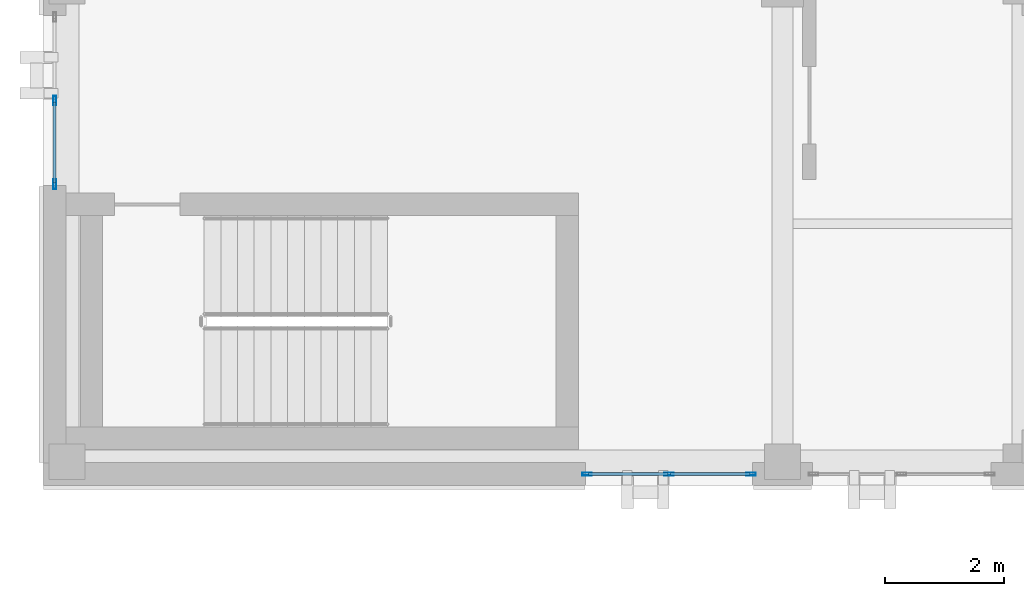
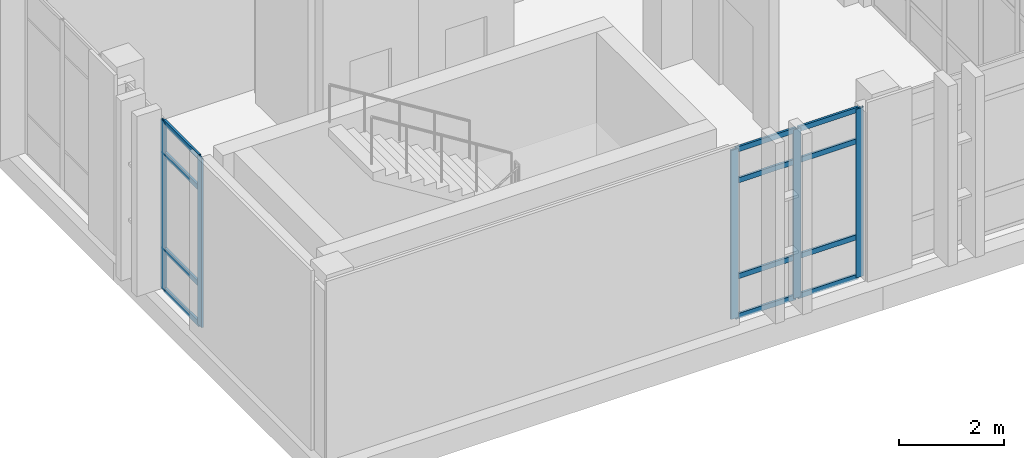
# One storey, part 2 of 90: 17 members, 2 elements without a shape of their own.
"""IFC4 building model written with IfcOpenShell, lengths in metres."""

from ifc_helpers import new_model, si_unit, direction, frame, origin, origin_2d, place, context, subcontext, project, spatial, hollow_rectangle, extrude, material, layer, layer_set, material_profile, profile_set, type_object, element, aggregate, save


model = new_model("IFC4")

# Units and contexts
model_context = context("Model", 3, precision=1e-05, world=origin(), true_north=direction((0.0, 1.0)))
body_context = subcontext(model_context, "Body", "Model", "MODEL_VIEW")
ifc_project = project(units=[si_unit("LENGTHUNIT", "METRE"), si_unit("AREAUNIT", "SQUARE_METRE"), si_unit("VOLUMEUNIT", "CUBIC_METRE"), si_unit("PLANEANGLEUNIT", "RADIAN"), si_unit("MASSUNIT", "GRAM", prefix="KILO")], contexts=[model_context])

# Site, building, storey
site_placement = place(None, origin())
site = spatial("IfcSite", under=ifc_project, at=site_placement, CompositionType="ELEMENT")
building_placement = place(site_placement, origin())
building = spatial("IfcBuilding", under=site, at=building_placement, Name="Qalavern Law Courts", CompositionType="ELEMENT")
storey_placement = place(building_placement, frame((0.0, 0.0, 22.800048828125)))
storey = spatial("IfcBuildingStorey", under=building, at=storey_placement, Name="L05", CompositionType="ELEMENT", Elevation=22.800048828125)

# Curtain wall, members
ifc_material_1 = material(Name="Anodised aluminium and insulated glazing", Category="aluminium")
ifc_layer = layer(ifc_material_1, 0.159912109375)
ifc_layer_set = layer_set([ifc_layer], Name="Anodised aluminium and insulated glazing")
curtain_wall_type = type_object("IfcCurtainWallType", Name="ENV-CW-CHAMB", PredefinedType="USERDEFINED", material=ifc_layer_set)
curtain_wall_1_placement = place(storey_placement, origin())
curtain_wall_1 = element("IfcCurtainWall", 1, at=curtain_wall_1_placement, inside=storey, type_object=curtain_wall_type, Name="V3 unitised curtain wall L05 south 1", ObjectType="UNITISED CURTAIN WALL", PredefinedType="USERDEFINED")
ifc_material_2 = material(Name="Anodised aluminium", Category="aluminium")
ifc_material_profile_1 = material_profile(ifc_material_2, hollow_rectangle(XDim=0.048095703125, YDim=0.159912109375, WallThickness=0.00390625, at=origin_2d()), Name="ALU MULLION 48x160")
ifc_profile_set_1 = profile_set([ifc_material_profile_1], Name="Anodised aluminium")
member_type_1 = type_object("IfcMemberType", Name="ENV-CWM-48x160", PredefinedType="MULLION", material=ifc_profile_set_1)
member_1_placement = place(storey_placement, frame((11.1240234375, 41.21240234375, 0.0), z_axis=(0.0, 0.0, 1.0), x_axis=(0.0, 1.0, 0.0)))
member_1 = element("IfcMember", 2, at=member_1_placement, type_object=member_type_1, Name="CW-04 mullion 1", PredefinedType="MULLION", context=body_context, shape_type="SweptSolid", body=[
    extrude(hollow_rectangle(XDim=0.048095703125, YDim=0.159912109375, WallThickness=0.00390625, at=origin_2d()), origin(), (0.0, 0.0, 1.0), 3.929931640625),
])
member_2_placement = place(storey_placement, frame((12.5, 41.21240234375, 0.0), z_axis=(0.0, 0.0, 1.0), x_axis=(0.0, 1.0, 0.0)))
member_2 = element("IfcMember", 3, at=member_2_placement, type_object=member_type_1, Name="CW-04 mullion 2", PredefinedType="MULLION", context=body_context, shape_type="SweptSolid", body=[
    extrude(hollow_rectangle(XDim=0.048095703125, YDim=0.159912109375, WallThickness=0.00390625, at=origin_2d()), origin(), (0.0, 0.0, 1.0), 3.929931640625),
])
member_3_placement = place(storey_placement, frame((13.8759765625, 41.21240234375, 0.0), z_axis=(0.0, 0.0, 1.0), x_axis=(0.0, 1.0, 0.0)))
member_3 = element("IfcMember", 4, at=member_3_placement, type_object=member_type_1, Name="CW-04 mullion 3", PredefinedType="MULLION", context=body_context, shape_type="SweptSolid", body=[
    extrude(hollow_rectangle(XDim=0.048095703125, YDim=0.159912109375, WallThickness=0.00390625, at=origin_2d()), origin(), (0.0, 0.0, 1.0), 3.929931640625),
])

curtain_wall_2_placement = place(storey_placement, origin())
curtain_wall_2 = element("IfcCurtainWall", 5, at=curtain_wall_2_placement, inside=storey, type_object=curtain_wall_type, Name="V3 unitised curtain wall L05 west 7", ObjectType="UNITISED CURTAIN WALL", PredefinedType="USERDEFINED")
member_4_placement = place(storey_placement, frame((2.1923828125, 47.47509765625, 0.0), z_axis=(0.0, 0.0, 1.0), x_axis=(1.0, 0.0, 0.0)))
member_4 = element("IfcMember", 6, at=member_4_placement, type_object=member_type_1, Name="CW-04 mullion 2", PredefinedType="MULLION", context=body_context, shape_type="SweptSolid", body=[
    extrude(hollow_rectangle(XDim=0.048095703125, YDim=0.159912109375, WallThickness=0.00390625, at=origin_2d()), origin(), (0.0, 0.0, 1.0), 3.929931640625),
])
member_5_placement = place(storey_placement, frame((2.1923828125, 46.073974609375, 0.0), z_axis=(0.0, 0.0, 1.0), x_axis=(1.0, 0.0, 0.0)))
member_5 = element("IfcMember", 7, at=member_5_placement, type_object=member_type_1, Name="CW-04 mullion 3", PredefinedType="MULLION", context=body_context, shape_type="SweptSolid", body=[
    extrude(hollow_rectangle(XDim=0.048095703125, YDim=0.159912109375, WallThickness=0.00390625, at=origin_2d()), origin(), (0.0, 0.0, 1.0), 3.929931640625),
])

# Member
ifc_material_profile_2 = material_profile(ifc_material_2, hollow_rectangle(XDim=0.048095703125, YDim=0.1201171875, WallThickness=0.00390625, at=origin_2d()), Name="ALU TRANSOM 48x120")
ifc_profile_set_2 = profile_set([ifc_material_profile_2], Name="Anodised aluminium")
member_type_2 = type_object("IfcMemberType", Name="ENV-CWT-48x120", PredefinedType="USERDEFINED", material=ifc_profile_set_2)
member_6_placement = place(storey_placement, frame((11.14794921875, 41.21240234375, 0.02392578125), z_axis=(1.0, 0.0, 0.0), x_axis=(0.0, 1.0, 0.0)))
member_6 = element("IfcMember", 8, at=member_6_placement, type_object=member_type_2, Name="CW-04 transom 1.1", ObjectType="TRANSOM", PredefinedType="USERDEFINED", context=body_context, shape_type="SweptSolid", body=[
    extrude(hollow_rectangle(XDim=0.048095703125, YDim=0.1201171875, WallThickness=0.00390625, at=origin_2d()), origin(), (0.0, 0.0, 1.0), 1.328125),
])

member_7_placement = place(storey_placement, frame((11.14794921875, 41.21240234375, 0.949951171875), z_axis=(1.0, 0.0, 0.0), x_axis=(0.0, 1.0, 0.0)))
member_7 = element("IfcMember", 9, at=member_7_placement, type_object=member_type_2, Name="CW-04 transom 1.2", ObjectType="TRANSOM", PredefinedType="USERDEFINED", context=body_context, shape_type="SweptSolid", body=[
    extrude(hollow_rectangle(XDim=0.048095703125, YDim=0.1201171875, WallThickness=0.00390625, at=origin_2d()), origin(), (0.0, 0.0, 1.0), 1.328125),
])

member_8_placement = place(storey_placement, frame((11.14794921875, 41.21240234375, 3.179931640625), z_axis=(1.0, 0.0, 0.0), x_axis=(0.0, 1.0, 0.0)))
member_8 = element("IfcMember", 10, at=member_8_placement, type_object=member_type_2, Name="CW-04 transom 1.3", ObjectType="TRANSOM", PredefinedType="USERDEFINED", context=body_context, shape_type="SweptSolid", body=[
    extrude(hollow_rectangle(XDim=0.048095703125, YDim=0.1201171875, WallThickness=0.00390625, at=origin_2d()), origin(), (0.0, 0.0, 1.0), 1.328125),
])

member_9_placement = place(storey_placement, frame((11.14794921875, 41.21240234375, 3.906005859375), z_axis=(1.0, 0.0, 0.0), x_axis=(0.0, 1.0, 0.0)))
member_9 = element("IfcMember", 11, at=member_9_placement, type_object=member_type_2, Name="CW-04 transom 1.4", ObjectType="TRANSOM", PredefinedType="USERDEFINED", context=body_context, shape_type="SweptSolid", body=[
    extrude(hollow_rectangle(XDim=0.048095703125, YDim=0.1201171875, WallThickness=0.00390625, at=origin_2d()), origin(), (0.0, 0.0, 1.0), 1.328125),
])

member_10_placement = place(storey_placement, frame((12.52392578125, 41.21240234375, 0.02392578125), z_axis=(1.0, 0.0, 0.0), x_axis=(0.0, 1.0, 0.0)))
member_10 = element("IfcMember", 12, at=member_10_placement, type_object=member_type_2, Name="CW-04 transom 2.1", ObjectType="TRANSOM", PredefinedType="USERDEFINED", context=body_context, shape_type="SweptSolid", body=[
    extrude(hollow_rectangle(XDim=0.048095703125, YDim=0.1201171875, WallThickness=0.00390625, at=origin_2d()), origin(), (0.0, 0.0, 1.0), 1.328125),
])

member_11_placement = place(storey_placement, frame((12.52392578125, 41.21240234375, 0.949951171875), z_axis=(1.0, 0.0, 0.0), x_axis=(0.0, 1.0, 0.0)))
member_11 = element("IfcMember", 13, at=member_11_placement, type_object=member_type_2, Name="CW-04 transom 2.2", ObjectType="TRANSOM", PredefinedType="USERDEFINED", context=body_context, shape_type="SweptSolid", body=[
    extrude(hollow_rectangle(XDim=0.048095703125, YDim=0.1201171875, WallThickness=0.00390625, at=origin_2d()), origin(), (0.0, 0.0, 1.0), 1.328125),
])

member_12_placement = place(storey_placement, frame((12.52392578125, 41.21240234375, 3.179931640625), z_axis=(1.0, 0.0, 0.0), x_axis=(0.0, 1.0, 0.0)))
member_12 = element("IfcMember", 14, at=member_12_placement, type_object=member_type_2, Name="CW-04 transom 2.3", ObjectType="TRANSOM", PredefinedType="USERDEFINED", context=body_context, shape_type="SweptSolid", body=[
    extrude(hollow_rectangle(XDim=0.048095703125, YDim=0.1201171875, WallThickness=0.00390625, at=origin_2d()), origin(), (0.0, 0.0, 1.0), 1.328125),
])

member_13_placement = place(storey_placement, frame((12.52392578125, 41.21240234375, 3.906005859375), z_axis=(1.0, 0.0, 0.0), x_axis=(0.0, 1.0, 0.0)))
member_13 = element("IfcMember", 15, at=member_13_placement, type_object=member_type_2, Name="CW-04 transom 2.4", ObjectType="TRANSOM", PredefinedType="USERDEFINED", context=body_context, shape_type="SweptSolid", body=[
    extrude(hollow_rectangle(XDim=0.048095703125, YDim=0.1201171875, WallThickness=0.00390625, at=origin_2d()), origin(), (0.0, 0.0, 1.0), 1.328125),
])

aggregate(curtain_wall_1, [member_1, member_2, member_3, member_6, member_7, member_8, member_9, member_10, member_11, member_12, member_13])

member_14_placement = place(storey_placement, frame((2.1923828125, 47.450927734375, 0.02392578125), z_axis=(0.0, -1.0, 0.0), x_axis=(1.0, 0.0, 0.0)))
member_14 = element("IfcMember", 16, at=member_14_placement, type_object=member_type_2, Name="CW-04 transom 2.1", ObjectType="TRANSOM", PredefinedType="USERDEFINED", context=body_context, shape_type="SweptSolid", body=[
    extrude(hollow_rectangle(XDim=0.048095703125, YDim=0.1201171875, WallThickness=0.00390625, at=origin_2d()), origin(), (0.0, 0.0, 1.0), 1.35302734375),
])

member_15_placement = place(storey_placement, frame((2.1923828125, 47.450927734375, 0.949951171875), z_axis=(0.0, -1.0, 0.0), x_axis=(1.0, 0.0, 0.0)))
member_15 = element("IfcMember", 17, at=member_15_placement, type_object=member_type_2, Name="CW-04 transom 2.2", ObjectType="TRANSOM", PredefinedType="USERDEFINED", context=body_context, shape_type="SweptSolid", body=[
    extrude(hollow_rectangle(XDim=0.048095703125, YDim=0.1201171875, WallThickness=0.00390625, at=origin_2d()), origin(), (0.0, 0.0, 1.0), 1.35302734375),
])

member_16_placement = place(storey_placement, frame((2.1923828125, 47.450927734375, 3.179931640625), z_axis=(0.0, -1.0, 0.0), x_axis=(1.0, 0.0, 0.0)))
member_16 = element("IfcMember", 18, at=member_16_placement, type_object=member_type_2, Name="CW-04 transom 2.3", ObjectType="TRANSOM", PredefinedType="USERDEFINED", context=body_context, shape_type="SweptSolid", body=[
    extrude(hollow_rectangle(XDim=0.048095703125, YDim=0.1201171875, WallThickness=0.00390625, at=origin_2d()), origin(), (0.0, 0.0, 1.0), 1.35302734375),
])

member_17_placement = place(storey_placement, frame((2.1923828125, 47.450927734375, 3.906005859375), z_axis=(0.0, -1.0, 0.0), x_axis=(1.0, 0.0, 0.0)))
member_17 = element("IfcMember", 19, at=member_17_placement, type_object=member_type_2, Name="CW-04 transom 2.4", ObjectType="TRANSOM", PredefinedType="USERDEFINED", context=body_context, shape_type="SweptSolid", body=[
    extrude(hollow_rectangle(XDim=0.048095703125, YDim=0.1201171875, WallThickness=0.00390625, at=origin_2d()), origin(), (0.0, 0.0, 1.0), 1.35302734375),
])

aggregate(curtain_wall_2, [member_4, member_5, member_14, member_15, member_16, member_17])

save(model, "model.ifc")
